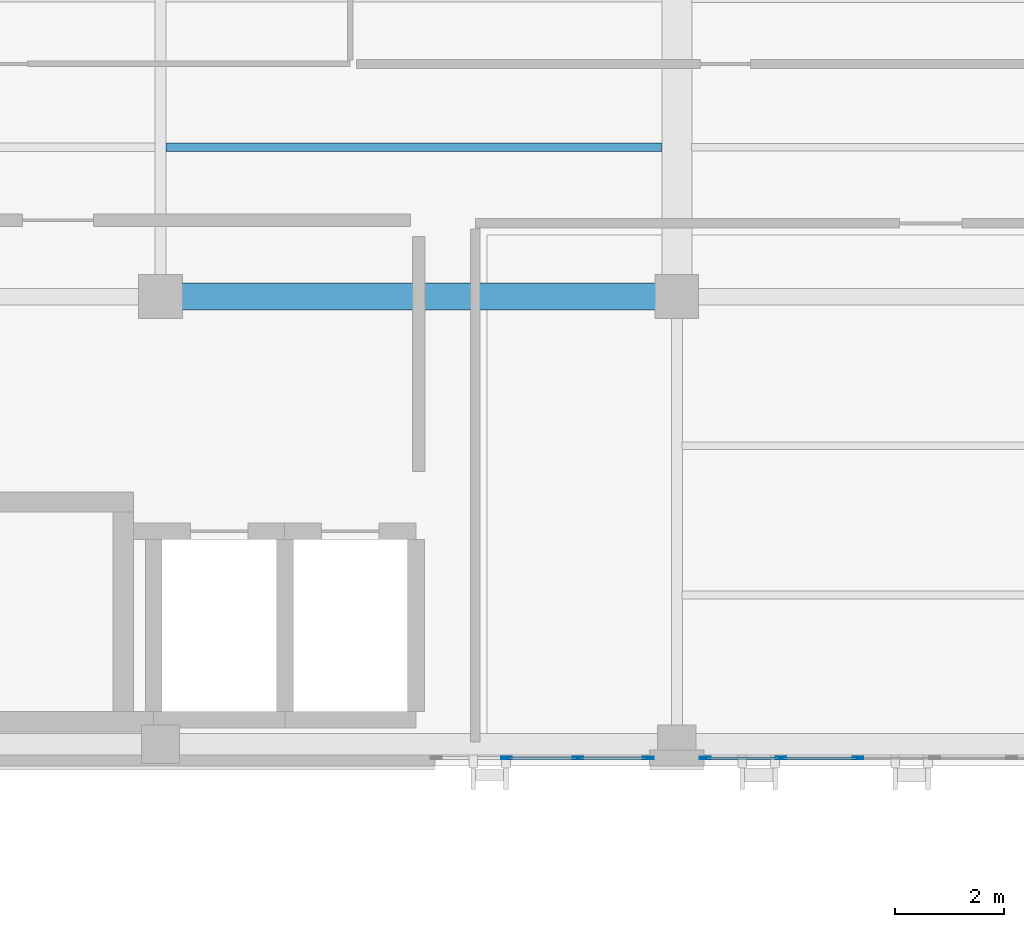
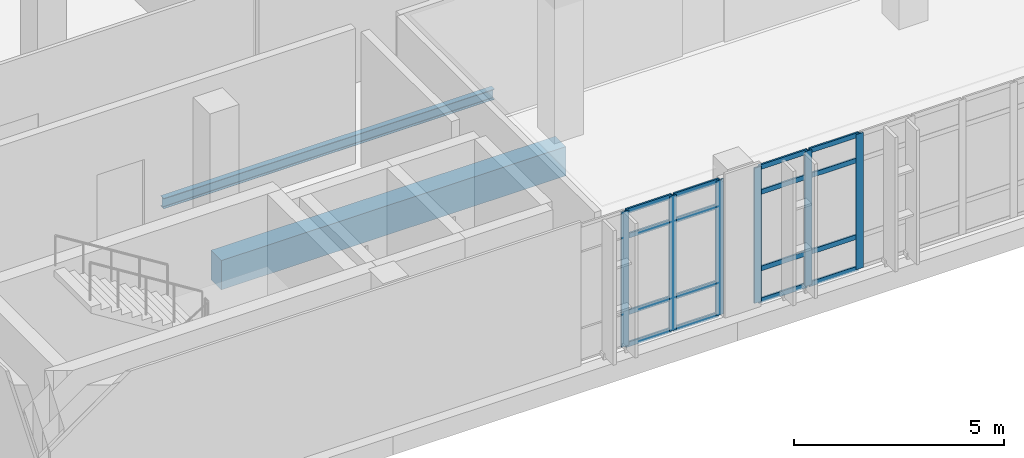
# One storey, part 11 of 165: 22 members, 2 beams, 2 elements without a shape of their own.
"""IFC4 building model written with IfcOpenShell, lengths in metres."""

from ifc_helpers import new_model, si_unit, direction, frame, origin, origin_2d, place, context, subcontext, project, spatial, rectangle, hollow_rectangle, i_section, extrude, material, layer, layer_set, material_profile, profile_set, type_object, element, aggregate, save


model = new_model("IFC4")

# Units and contexts
model_context = context("Model", 3, precision=1e-05, world=origin(), true_north=direction((0.0, 1.0)))
body_context = subcontext(model_context, "Body", "Model", "MODEL_VIEW")
ifc_project = project(units=[si_unit("LENGTHUNIT", "METRE"), si_unit("AREAUNIT", "SQUARE_METRE"), si_unit("VOLUMEUNIT", "CUBIC_METRE"), si_unit("PLANEANGLEUNIT", "RADIAN"), si_unit("MASSUNIT", "GRAM", prefix="KILO")], contexts=[model_context])

# Site, building, storey
site_placement = place(None, origin())
site = spatial("IfcSite", under=ifc_project, at=site_placement, CompositionType="ELEMENT")
building_placement = place(site_placement, origin())
building = spatial("IfcBuilding", under=site, at=building_placement, Name="Qalavern Law Courts", CompositionType="ELEMENT")
storey_placement = place(building_placement, frame((0.0, 0.0, 14.39990234375)))
storey = spatial("IfcBuildingStorey", under=building, at=storey_placement, Name="L03", CompositionType="ELEMENT", Elevation=14.39990234375)

# Curtain wall, members
ifc_material_1 = material(Name="Anodised aluminium and insulated glazing", Category="aluminium")
ifc_layer = layer(ifc_material_1, 0.18505859375)
ifc_layer_set = layer_set([ifc_layer], Name="Anodised aluminium and insulated glazing")
curtain_wall_type = type_object("IfcCurtainWallType", Name="ENV-CW-HALL", PredefinedType="USERDEFINED", material=ifc_layer_set)
curtain_wall_1_placement = place(storey_placement, origin())
curtain_wall_1 = element("IfcCurtainWall", 1, at=curtain_wall_1_placement, inside=storey, type_object=curtain_wall_type, Name="V2 unitised curtain wall L03 south 1", ObjectType="UNITISED CURTAIN WALL", PredefinedType="USERDEFINED")
ifc_material_2 = material(Name="Anodised aluminium", Category="aluminium")
ifc_material_profile_1 = material_profile(ifc_material_2, hollow_rectangle(XDim=0.048095703125, YDim=0.199951171875, WallThickness=0.00439453125, at=origin_2d()), Name="ALU MULLION 48x200")
ifc_profile_set_1 = profile_set([ifc_material_profile_1], Name="Anodised aluminium")
member_type_1 = type_object("IfcMemberType", Name="ENV-CWM-48x200", PredefinedType="MULLION", material=ifc_profile_set_1)
member_1_placement = place(storey_placement, frame((50.409423828125, 5.347412109375, 0.0), z_axis=(0.0, 0.0, 1.0), x_axis=(0.0, 1.0, 0.0)))
member_1 = element("IfcMember", 2, at=member_1_placement, type_object=member_type_1, Name="CW-02 mullion 2", PredefinedType="MULLION", context=body_context, shape_type="SweptSolid", body=[
    extrude(hollow_rectangle(XDim=0.048095703125, YDim=0.199951171875, WallThickness=0.00439453125, at=origin_2d()), origin(), (0.0, 0.0, 1.0), 3.920166015625),
])
member_2_placement = place(storey_placement, frame((51.718994140625, 5.347412109375, 0.0), z_axis=(0.0, 0.0, 1.0), x_axis=(0.0, 1.0, 0.0)))
member_2 = element("IfcMember", 3, at=member_2_placement, type_object=member_type_1, Name="CW-02 mullion 3", PredefinedType="MULLION", context=body_context, shape_type="SweptSolid", body=[
    extrude(hollow_rectangle(XDim=0.048095703125, YDim=0.199951171875, WallThickness=0.00439453125, at=origin_2d()), origin(), (0.0, 0.0, 1.0), 3.920166015625),
])
member_3_placement = place(storey_placement, frame((53.004638671875, 5.347412109375, 0.0), z_axis=(0.0, 0.0, 1.0), x_axis=(0.0, 1.0, 0.0)))
member_3 = element("IfcMember", 4, at=member_3_placement, type_object=member_type_1, Name="CW-02 mullion 4", PredefinedType="MULLION", context=body_context, shape_type="SweptSolid", body=[
    extrude(hollow_rectangle(XDim=0.048095703125, YDim=0.199951171875, WallThickness=0.00439453125, at=origin_2d()), origin(), (0.0, 0.0, 1.0), 3.920166015625),
])

curtain_wall_2_placement = place(storey_placement, origin())
curtain_wall_2 = element("IfcCurtainWall", 5, at=curtain_wall_2_placement, inside=storey, type_object=curtain_wall_type, Name="V2 unitised curtain wall L03 south 2", ObjectType="UNITISED CURTAIN WALL", PredefinedType="USERDEFINED")
member_4_placement = place(storey_placement, frame((54.052490234375, 5.347412109375, 0.0), z_axis=(0.0, 0.0, 1.0), x_axis=(0.0, 1.0, 0.0)))
member_4 = element("IfcMember", 6, at=member_4_placement, type_object=member_type_1, Name="CW-02 mullion 1", PredefinedType="MULLION", context=body_context, shape_type="SweptSolid", body=[
    extrude(hollow_rectangle(XDim=0.048095703125, YDim=0.199951171875, WallThickness=0.00439453125, at=origin_2d()), origin(), (0.0, 0.0, 1.0), 3.920166015625),
])
member_5_placement = place(storey_placement, frame((55.437744140625, 5.347412109375, 0.0), z_axis=(0.0, 0.0, 1.0), x_axis=(0.0, 1.0, 0.0)))
member_5 = element("IfcMember", 7, at=member_5_placement, type_object=member_type_1, Name="CW-02 mullion 2", PredefinedType="MULLION", context=body_context, shape_type="SweptSolid", body=[
    extrude(hollow_rectangle(XDim=0.048095703125, YDim=0.199951171875, WallThickness=0.00439453125, at=origin_2d()), origin(), (0.0, 0.0, 1.0), 3.920166015625),
])
member_6_placement = place(storey_placement, frame((56.8466796875, 5.347412109375, 0.0), z_axis=(0.0, 0.0, 1.0), x_axis=(0.0, 1.0, 0.0)))
member_6 = element("IfcMember", 8, at=member_6_placement, type_object=member_type_1, Name="CW-02 mullion 3", PredefinedType="MULLION", context=body_context, shape_type="SweptSolid", body=[
    extrude(hollow_rectangle(XDim=0.048095703125, YDim=0.199951171875, WallThickness=0.00439453125, at=origin_2d()), origin(), (0.0, 0.0, 1.0), 3.920166015625),
])

# Member
ifc_material_profile_2 = material_profile(ifc_material_2, hollow_rectangle(XDim=0.048095703125, YDim=0.139892578125, WallThickness=0.00390625, at=origin_2d()), Name="ALU TRANSOM 48x140")
ifc_profile_set_2 = profile_set([ifc_material_profile_2], Name="Anodised aluminium")
member_type_2 = type_object("IfcMemberType", Name="ENV-CWT-48x140", PredefinedType="USERDEFINED", material=ifc_profile_set_2)
member_7_placement = place(storey_placement, frame((50.43359375, 5.347412109375, 0.024169921875), z_axis=(1.0, 0.0, 0.0), x_axis=(0.0, 1.0, 0.0)))
member_7 = element("IfcMember", 9, at=member_7_placement, type_object=member_type_2, Name="CW-02 transom 2.1", ObjectType="TRANSOM", PredefinedType="USERDEFINED", context=body_context, shape_type="SweptSolid", body=[
    extrude(hollow_rectangle(XDim=0.048095703125, YDim=0.139892578125, WallThickness=0.00390625, at=origin_2d()), origin(), (0.0, 0.0, 1.0), 1.261474609375),
])

member_8_placement = place(storey_placement, frame((50.43359375, 5.347412109375, 0.9501953125), z_axis=(1.0, 0.0, 0.0), x_axis=(0.0, 1.0, 0.0)))
member_8 = element("IfcMember", 10, at=member_8_placement, type_object=member_type_2, Name="CW-02 transom 2.2", ObjectType="TRANSOM", PredefinedType="USERDEFINED", context=body_context, shape_type="SweptSolid", body=[
    extrude(hollow_rectangle(XDim=0.048095703125, YDim=0.139892578125, WallThickness=0.00390625, at=origin_2d()), origin(), (0.0, 0.0, 1.0), 1.261474609375),
])

member_9_placement = place(storey_placement, frame((50.43359375, 5.347412109375, 3.170166015625), z_axis=(1.0, 0.0, 0.0), x_axis=(0.0, 1.0, 0.0)))
member_9 = element("IfcMember", 11, at=member_9_placement, type_object=member_type_2, Name="CW-02 transom 2.3", ObjectType="TRANSOM", PredefinedType="USERDEFINED", context=body_context, shape_type="SweptSolid", body=[
    extrude(hollow_rectangle(XDim=0.048095703125, YDim=0.139892578125, WallThickness=0.00390625, at=origin_2d()), origin(), (0.0, 0.0, 1.0), 1.261474609375),
])

member_10_placement = place(storey_placement, frame((50.43359375, 5.347412109375, 3.89599609375), z_axis=(1.0, 0.0, 0.0), x_axis=(0.0, 1.0, 0.0)))
member_10 = element("IfcMember", 12, at=member_10_placement, type_object=member_type_2, Name="CW-02 transom 2.4", ObjectType="TRANSOM", PredefinedType="USERDEFINED", context=body_context, shape_type="SweptSolid", body=[
    extrude(hollow_rectangle(XDim=0.048095703125, YDim=0.139892578125, WallThickness=0.00390625, at=origin_2d()), origin(), (0.0, 0.0, 1.0), 1.261474609375),
])

member_11_placement = place(storey_placement, frame((51.7431640625, 5.347412109375, 0.024169921875), z_axis=(1.0, 0.0, 0.0), x_axis=(0.0, 1.0, 0.0)))
member_11 = element("IfcMember", 13, at=member_11_placement, type_object=member_type_2, Name="CW-02 transom 3.1", ObjectType="TRANSOM", PredefinedType="USERDEFINED", context=body_context, shape_type="SweptSolid", body=[
    extrude(hollow_rectangle(XDim=0.048095703125, YDim=0.139892578125, WallThickness=0.00390625, at=origin_2d()), origin(), (0.0, 0.0, 1.0), 1.237548828125),
])

member_12_placement = place(storey_placement, frame((51.7431640625, 5.347412109375, 0.9501953125), z_axis=(1.0, 0.0, 0.0), x_axis=(0.0, 1.0, 0.0)))
member_12 = element("IfcMember", 14, at=member_12_placement, type_object=member_type_2, Name="CW-02 transom 3.2", ObjectType="TRANSOM", PredefinedType="USERDEFINED", context=body_context, shape_type="SweptSolid", body=[
    extrude(hollow_rectangle(XDim=0.048095703125, YDim=0.139892578125, WallThickness=0.00390625, at=origin_2d()), origin(), (0.0, 0.0, 1.0), 1.237548828125),
])

member_13_placement = place(storey_placement, frame((51.7431640625, 5.347412109375, 3.170166015625), z_axis=(1.0, 0.0, 0.0), x_axis=(0.0, 1.0, 0.0)))
member_13 = element("IfcMember", 15, at=member_13_placement, type_object=member_type_2, Name="CW-02 transom 3.3", ObjectType="TRANSOM", PredefinedType="USERDEFINED", context=body_context, shape_type="SweptSolid", body=[
    extrude(hollow_rectangle(XDim=0.048095703125, YDim=0.139892578125, WallThickness=0.00390625, at=origin_2d()), origin(), (0.0, 0.0, 1.0), 1.237548828125),
])

member_14_placement = place(storey_placement, frame((51.7431640625, 5.347412109375, 3.89599609375), z_axis=(1.0, 0.0, 0.0), x_axis=(0.0, 1.0, 0.0)))
member_14 = element("IfcMember", 16, at=member_14_placement, type_object=member_type_2, Name="CW-02 transom 3.4", ObjectType="TRANSOM", PredefinedType="USERDEFINED", context=body_context, shape_type="SweptSolid", body=[
    extrude(hollow_rectangle(XDim=0.048095703125, YDim=0.139892578125, WallThickness=0.00390625, at=origin_2d()), origin(), (0.0, 0.0, 1.0), 1.237548828125),
])

aggregate(curtain_wall_1, [member_1, member_2, member_3, member_7, member_8, member_9, member_10, member_11, member_12, member_13, member_14])

member_15_placement = place(storey_placement, frame((54.07666015625, 5.347412109375, 0.024169921875), z_axis=(1.0, 0.0, 0.0), x_axis=(0.0, 1.0, 0.0)))
member_15 = element("IfcMember", 17, at=member_15_placement, type_object=member_type_2, Name="CW-02 transom 1.1", ObjectType="TRANSOM", PredefinedType="USERDEFINED", context=body_context, shape_type="SweptSolid", body=[
    extrude(hollow_rectangle(XDim=0.048095703125, YDim=0.139892578125, WallThickness=0.00390625, at=origin_2d()), origin(), (0.0, 0.0, 1.0), 1.3369140625),
])

member_16_placement = place(storey_placement, frame((54.07666015625, 5.347412109375, 0.9501953125), z_axis=(1.0, 0.0, 0.0), x_axis=(0.0, 1.0, 0.0)))
member_16 = element("IfcMember", 18, at=member_16_placement, type_object=member_type_2, Name="CW-02 transom 1.2", ObjectType="TRANSOM", PredefinedType="USERDEFINED", context=body_context, shape_type="SweptSolid", body=[
    extrude(hollow_rectangle(XDim=0.048095703125, YDim=0.139892578125, WallThickness=0.00390625, at=origin_2d()), origin(), (0.0, 0.0, 1.0), 1.3369140625),
])

member_17_placement = place(storey_placement, frame((54.07666015625, 5.347412109375, 3.170166015625), z_axis=(1.0, 0.0, 0.0), x_axis=(0.0, 1.0, 0.0)))
member_17 = element("IfcMember", 19, at=member_17_placement, type_object=member_type_2, Name="CW-02 transom 1.3", ObjectType="TRANSOM", PredefinedType="USERDEFINED", context=body_context, shape_type="SweptSolid", body=[
    extrude(hollow_rectangle(XDim=0.048095703125, YDim=0.139892578125, WallThickness=0.00390625, at=origin_2d()), origin(), (0.0, 0.0, 1.0), 1.3369140625),
])

member_18_placement = place(storey_placement, frame((54.07666015625, 5.347412109375, 3.89599609375), z_axis=(1.0, 0.0, 0.0), x_axis=(0.0, 1.0, 0.0)))
member_18 = element("IfcMember", 20, at=member_18_placement, type_object=member_type_2, Name="CW-02 transom 1.4", ObjectType="TRANSOM", PredefinedType="USERDEFINED", context=body_context, shape_type="SweptSolid", body=[
    extrude(hollow_rectangle(XDim=0.048095703125, YDim=0.139892578125, WallThickness=0.00390625, at=origin_2d()), origin(), (0.0, 0.0, 1.0), 1.3369140625),
])

member_19_placement = place(storey_placement, frame((55.461669921875, 5.347412109375, 0.024169921875), z_axis=(1.0, 0.0, 0.0), x_axis=(0.0, 1.0, 0.0)))
member_19 = element("IfcMember", 21, at=member_19_placement, type_object=member_type_2, Name="CW-02 transom 2.1", ObjectType="TRANSOM", PredefinedType="USERDEFINED", context=body_context, shape_type="SweptSolid", body=[
    extrude(hollow_rectangle(XDim=0.048095703125, YDim=0.139892578125, WallThickness=0.00390625, at=origin_2d()), origin(), (0.0, 0.0, 1.0), 1.361083984375),
])

member_20_placement = place(storey_placement, frame((55.461669921875, 5.347412109375, 0.9501953125), z_axis=(1.0, 0.0, 0.0), x_axis=(0.0, 1.0, 0.0)))
member_20 = element("IfcMember", 22, at=member_20_placement, type_object=member_type_2, Name="CW-02 transom 2.2", ObjectType="TRANSOM", PredefinedType="USERDEFINED", context=body_context, shape_type="SweptSolid", body=[
    extrude(hollow_rectangle(XDim=0.048095703125, YDim=0.139892578125, WallThickness=0.00390625, at=origin_2d()), origin(), (0.0, 0.0, 1.0), 1.361083984375),
])

member_21_placement = place(storey_placement, frame((55.461669921875, 5.347412109375, 3.170166015625), z_axis=(1.0, 0.0, 0.0), x_axis=(0.0, 1.0, 0.0)))
member_21 = element("IfcMember", 23, at=member_21_placement, type_object=member_type_2, Name="CW-02 transom 2.3", ObjectType="TRANSOM", PredefinedType="USERDEFINED", context=body_context, shape_type="SweptSolid", body=[
    extrude(hollow_rectangle(XDim=0.048095703125, YDim=0.139892578125, WallThickness=0.00390625, at=origin_2d()), origin(), (0.0, 0.0, 1.0), 1.361083984375),
])

member_22_placement = place(storey_placement, frame((55.461669921875, 5.347412109375, 3.89599609375), z_axis=(1.0, 0.0, 0.0), x_axis=(0.0, 1.0, 0.0)))
member_22 = element("IfcMember", 24, at=member_22_placement, type_object=member_type_2, Name="CW-02 transom 2.4", ObjectType="TRANSOM", PredefinedType="USERDEFINED", context=body_context, shape_type="SweptSolid", body=[
    extrude(hollow_rectangle(XDim=0.048095703125, YDim=0.139892578125, WallThickness=0.00390625, at=origin_2d()), origin(), (0.0, 0.0, 1.0), 1.361083984375),
])

aggregate(curtain_wall_2, [member_4, member_5, member_6, member_15, member_16, member_17, member_18, member_19, member_20, member_21, member_22])

# Beams
ifc_material_3 = material(Name="Concrete C40/50", Category="concrete")
ifc_material_profile_3 = material_profile(ifc_material_3, rectangle(XDim=0.5, YDim=0.85009765625, at=origin_2d()), Name="RC 500x850")
ifc_profile_set_3 = profile_set([ifc_material_profile_3], Name="Concrete C40/50")
beam_type_1 = type_object("IfcBeamType", Name="STR-BM-RC500x850", PredefinedType="BEAM", material=ifc_profile_set_3)
beam_1_placement = place(storey_placement, frame((44.07421875, 13.800048828125, -0.7099609375), z_axis=(1.0, 0.0, 0.0), x_axis=(0.0, 1.0, 0.0)))
element("IfcBeam", 25, at=beam_1_placement, inside=storey, type_object=beam_type_1, Name="V2 X-beam 2-2 L03", PredefinedType="BEAM", context=body_context, shape_type="SweptSolid", body=[
    extrude(rectangle(XDim=0.5, YDim=0.85009765625, at=origin_2d()), origin(), (0.0, 0.0, 1.0), 9.454345703125),
])
ifc_material_4 = material(Name="Steel S355", Category="steel")
ifc_material_profile_4 = material_profile(ifc_material_4, i_section(OverallWidth=0.14990234375, OverallDepth=0.300048828125, WebThickness=0.007080078125, FlangeThickness=0.0107421875, FilletRadius=0.014892578125, at=origin_2d()), Name="IPE 300")
ifc_profile_set_4 = profile_set([ifc_material_profile_4], Name="Steel S355")
beam_type_2 = type_object("IfcBeamType", Name="STR-JST-IPE300", PredefinedType="JOIST", material=ifc_profile_set_4)
beam_2_placement = place(storey_placement, frame((44.17236328125, 16.533203125, -0.434814453125), z_axis=(1.0, 0.0, 0.0), x_axis=(0.0, 1.0, 0.0)))
element("IfcBeam", 26, at=beam_2_placement, inside=storey, type_object=beam_type_2, Name="V2 secondary joist 2.2.1 L03", PredefinedType="JOIST", context=body_context, shape_type="SweptSolid", body=[
    extrude(i_section(OverallWidth=0.14990234375, OverallDepth=0.300048828125, WebThickness=0.007080078125, FlangeThickness=0.0107421875, FilletRadius=0.014892578125, at=origin_2d()), origin(), (0.0, 0.0, 1.0), 9.083251953125),
])

save(model, "model.ifc")
